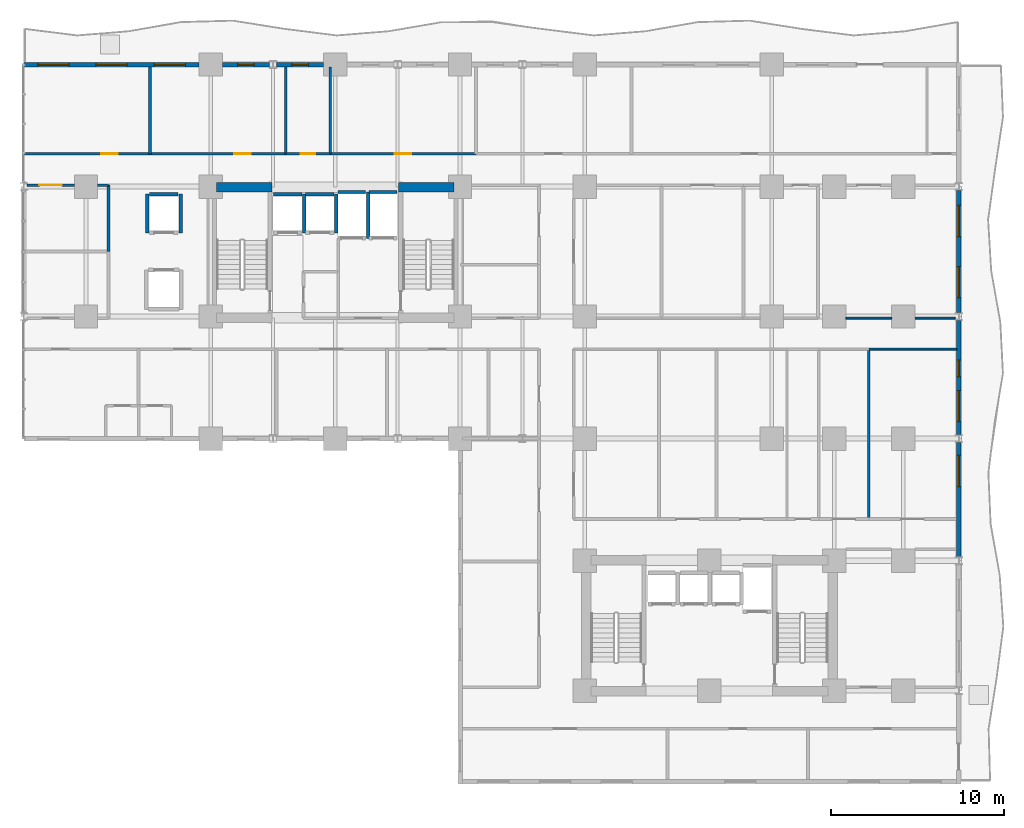
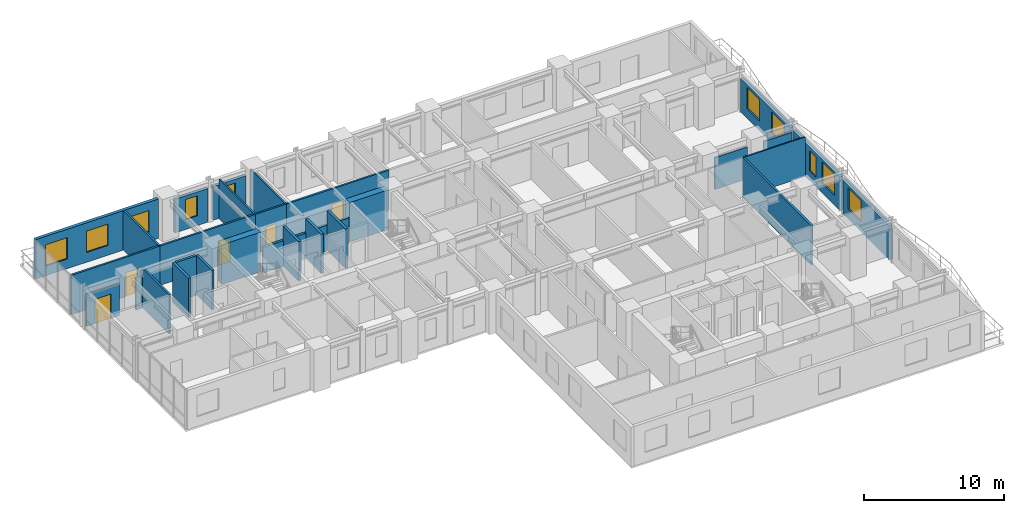
# One storey, part 14 of 19: 32 walls, 10 windows, 5 doors, 15 openings.
"""IFC4 building model written with IfcOpenShell, lengths in metres."""

from ifc_helpers import new_model, si_unit, direction, frame, frame_2d, origin, place, context, subcontext, project, spatial, rectangle, extrude, material, layer, layer_set, type_object, element, fill, save


model = new_model("IFC4")

# Units and contexts
model_context = context("Model", 3, precision=1e-05, world=origin(), true_north=direction((0.0, 1.0)))
body_context = subcontext(model_context, "Body", "Model", "MODEL_VIEW")
ifc_project = project(units=[si_unit("LENGTHUNIT", "METRE"), si_unit("AREAUNIT", "SQUARE_METRE"), si_unit("VOLUMEUNIT", "CUBIC_METRE"), si_unit("PLANEANGLEUNIT", "RADIAN"), si_unit("MASSUNIT", "GRAM", prefix="KILO")], contexts=[model_context])

# Site, building, storey
site_placement = place(None, origin())
site = spatial("IfcSite", under=ifc_project, at=site_placement, CompositionType="ELEMENT")
building_placement = place(site_placement, origin())
building = spatial("IfcBuilding", under=site, at=building_placement, Name="Kaliganga Portal Commons", CompositionType="ELEMENT")
storey_placement = place(building_placement, frame((0.0, 0.0, 32.699951171875)))
storey = spatial("IfcBuildingStorey", under=building, at=storey_placement, Name="L07", CompositionType="ELEMENT", Elevation=32.699951171875)

# Walls
ifc_material_1 = material(Name="Concrete C60/75", Category="concrete")
ifc_layer_1 = layer(ifc_material_1, 0.550048828125)
ifc_layer_set_1 = layer_set([ifc_layer_1], Name="Concrete C60/75")
wall_type_1 = type_object("IfcWallType", Name="WL-CORE-550", PredefinedType="SHEAR", material=ifc_layer_set_1)
for number, where, z_axis, x_axis, name in (
    (1, (14.75, 36.125, 0.0), (0.0, 0.0, 1.0), (1.0, 0.0, 0.0), "Core A N-West Shear Wall L07"),
    (2, (25.25, 36.125, 0.0), (0.0, 0.0, 1.0), (1.0, 0.0, 0.0), "Core A N-East Shear Wall L07"),
):
    element("IfcWall", number, at=place(storey_placement, frame(where, z_axis=z_axis, x_axis=x_axis)), inside=storey, type_object=wall_type_1, Name=name, PredefinedType="SHEAR", context=body_context, shape_type="SweptSolid", body=[
        extrude(rectangle(XDim=3.199951171875, YDim=0.550048828125, at=frame_2d((1.60009765625, 0.0))), origin(), (0.0, 0.0, 1.0), 3.449951171875),
    ])

# Wall, opening, window
ifc_material_2 = material(Name="Insulated Aluminium-Clad Spandrel Assembly", Category="aluminium")
ifc_layer_2 = layer(ifc_material_2, 0.260009765625)
ifc_layer_set_2 = layer_set([ifc_layer_2], Name="Insulated Aluminium-Clad Spandrel Assembly")
wall_type_2 = type_object("IfcWallType", Name="WL-EXT-SPAND-260", PredefinedType="STANDARD", material=ifc_layer_set_2)
wall_1_placement = place(storey_placement, frame((57.60009765625, 21.3759765625, 0.0), z_axis=(0.0, 0.0, 1.0), x_axis=(0.0, -1.0, 0.0)))
wall_1 = element("IfcWall", 3, at=wall_1_placement, inside=storey, type_object=wall_type_2, Name="Exterior Envelope Wall L07 P1-E01-S3", PredefinedType="STANDARD", context=body_context, shape_type="SweptSolid", body=[
    extrude(rectangle(XDim=6.60205078125, YDim=0.260009765625, at=frame_2d((3.301025390625, 0.0))), origin(), (0.0, 0.0, 1.0), 2.929931640625),
])
opening_1_placement = place(wall_1_placement, frame((0.75048828125, 0.0, 0.85009765625)))
opening_1 = element("IfcOpeningElement", 4, at=opening_1_placement, cuts=wall_1, Name="Opening W-01", PredefinedType="OPENING", context=body_context, shape_type="SweptSolid", body=[
    extrude(rectangle(XDim=1.800048828125, YDim=1.85009765625, at=frame_2d((0.89990234375, 0.925048828125))), frame((0.0, 0.14013671875, 0.0), z_axis=(0.0, -1.0, 0.0), x_axis=(1.0, 0.0, 0.0)), (0.0, 0.0, 1.0), 0.280029296875),
])
ifc_material_3 = material(Name="Thermally Broken Aluminium and Low-E Double Glazing", Category="aluminium")
window_type_1 = type_object("IfcWindowType", Name="WIN-STD-1800", PartitioningType="DOUBLE_PANEL_VERTICAL", PredefinedType="WINDOW", material=ifc_material_3)
window_1_placement = place(opening_1_placement, origin())
window_1 = element("IfcWindow", 5, at=window_1_placement, inside=storey, type_object=window_type_1, Name="Facade Window L07-P1E01S3-00", OverallHeight=1.85009765625, OverallWidth=1.800048828125, PartitioningType="SINGLE_PANEL", PredefinedType="WINDOW", context=body_context, shape_type="SweptSolid", body=[
    extrude(rectangle(XDim=1.800048828125, YDim=1.85009765625, at=frame_2d((0.89990234375, 0.925048828125))), frame((0.0, 0.030029296875, 0.0), z_axis=(0.0, -1.0, 0.0), x_axis=(1.0, 0.0, 0.0)), (0.0, 0.0, 1.0), 0.06005859375),
])
fill(opening_1, window_1)

# Wall, openings, windows
wall_2_placement = place(storey_placement, frame((57.60009765625, 28.426025390625, 0.0), z_axis=(0.0, 0.0, 1.0), x_axis=(0.0, -1.0, 0.0)))
wall_2 = element("IfcWall", 6, at=wall_2_placement, inside=storey, type_object=wall_type_2, Name="Exterior Envelope Wall L07 P1-E01-S4", PredefinedType="STANDARD", context=body_context, shape_type="SweptSolid", body=[
    extrude(rectangle(XDim=6.60205078125, YDim=0.260009765625, at=frame_2d((3.301025390625, 0.0))), origin(), (0.0, 0.0, 1.0), 2.929931640625),
])
opening_2_placement = place(wall_2_placement, frame((4.051513671875, 0.0, 0.85009765625)))
opening_2 = element("IfcOpeningElement", 7, at=opening_2_placement, cuts=wall_2, Name="Opening W-01", PredefinedType="OPENING", context=body_context, shape_type="SweptSolid", body=[
    extrude(rectangle(XDim=1.800048828125, YDim=1.85009765625, at=frame_2d((0.89990234375, 0.925048828125))), frame((0.0, 0.14013671875, 0.0), z_axis=(0.0, -1.0, 0.0), x_axis=(1.0, 0.0, 0.0)), (0.0, 0.0, 1.0), 0.280029296875),
])
opening_3_placement = place(wall_2_placement, frame((2.2978515625, 0.0, 0.85009765625)))
opening_3 = element("IfcOpeningElement", 8, at=opening_3_placement, cuts=wall_2, Name="Opening W-04", PredefinedType="OPENING", context=body_context, shape_type="SweptSolid", body=[
    extrude(rectangle(XDim=0.949951171875, YDim=1.75, at=frame_2d((0.47509765625, 0.875))), frame((0.0, 0.14013671875, 0.0), z_axis=(0.0, -1.0, 0.0), x_axis=(1.0, 0.0, 0.0)), (0.0, 0.0, 1.0), 0.280029296875),
])
window_type_2 = type_object("IfcWindowType", Name="WIN-NARROW-950", PartitioningType="SINGLE_PANEL", PredefinedType="WINDOW", material=ifc_material_3)
window_2_placement = place(opening_3_placement, origin())
window_2 = element("IfcWindow", 9, at=window_2_placement, inside=storey, type_object=window_type_2, Name="Facade Window L07-P1E01S4-N5", OverallHeight=1.75, OverallWidth=0.949951171875, PartitioningType="SINGLE_PANEL", PredefinedType="WINDOW", context=body_context, shape_type="SweptSolid", body=[
    extrude(rectangle(XDim=0.949951171875, YDim=1.75, at=frame_2d((0.47509765625, 0.875))), frame((0.0, 0.030029296875, 0.0), z_axis=(0.0, -1.0, 0.0), x_axis=(1.0, 0.0, 0.0)), (0.0, 0.0, 1.0), 0.06005859375),
])
fill(opening_3, window_2)
window_3_placement = place(opening_2_placement, origin())
window_3 = element("IfcWindow", 10, at=window_3_placement, inside=storey, type_object=window_type_1, Name="Facade Window L07-P1E01S4-01", OverallHeight=1.85009765625, OverallWidth=1.800048828125, PartitioningType="SINGLE_PANEL", PredefinedType="WINDOW", context=body_context, shape_type="SweptSolid", body=[
    extrude(rectangle(XDim=1.800048828125, YDim=1.85009765625, at=frame_2d((0.89990234375, 0.925048828125))), frame((0.0, 0.030029296875, 0.0), z_axis=(0.0, -1.0, 0.0), x_axis=(1.0, 0.0, 0.0)), (0.0, 0.0, 1.0), 0.06005859375),
])
fill(opening_2, window_3)

wall_3_placement = place(storey_placement, frame((57.60009765625, 35.926025390625, 0.0), z_axis=(0.0, 0.0, 1.0), x_axis=(0.0, -1.0, 0.0)))
wall_3 = element("IfcWall", 11, at=wall_3_placement, inside=storey, type_object=wall_type_2, Name="Exterior Envelope Wall L07 P1-E01-S5", PredefinedType="STANDARD", context=body_context, shape_type="SweptSolid", body=[
    extrude(rectangle(XDim=7.052001953125, YDim=0.260009765625, at=frame_2d((3.52587890625, 0.0))), origin(), (0.0, 0.0, 1.0), 2.929931640625),
])
opening_4_placement = place(wall_3_placement, frame((0.863037109375, 0.0, 0.85009765625)))
opening_4 = element("IfcOpeningElement", 12, at=opening_4_placement, cuts=wall_3, Name="Opening W-01", PredefinedType="OPENING", context=body_context, shape_type="SweptSolid", body=[
    extrude(rectangle(XDim=1.800048828125, YDim=1.85009765625, at=frame_2d((0.89990234375, 0.925048828125))), frame((0.0, 0.14013671875, 0.0), z_axis=(0.0, -1.0, 0.0), x_axis=(1.0, 0.0, 0.0)), (0.0, 0.0, 1.0), 0.280029296875),
])
opening_5_placement = place(wall_3_placement, frame((4.388916015625, 0.0, 0.85009765625)))
opening_5 = element("IfcOpeningElement", 13, at=opening_5_placement, cuts=wall_3, Name="Opening W-01", PredefinedType="OPENING", context=body_context, shape_type="SweptSolid", body=[
    extrude(rectangle(XDim=1.800048828125, YDim=1.85009765625, at=frame_2d((0.89990234375, 0.925048828125))), frame((0.0, 0.14013671875, 0.0), z_axis=(0.0, -1.0, 0.0), x_axis=(1.0, 0.0, 0.0)), (0.0, 0.0, 1.0), 0.280029296875),
])
window_4_placement = place(opening_4_placement, origin())
window_4 = element("IfcWindow", 14, at=window_4_placement, inside=storey, type_object=window_type_1, Name="Facade Window L07-P1E01S5-00", OverallHeight=1.85009765625, OverallWidth=1.800048828125, PartitioningType="SINGLE_PANEL", PredefinedType="WINDOW", context=body_context, shape_type="SweptSolid", body=[
    extrude(rectangle(XDim=1.800048828125, YDim=1.85009765625, at=frame_2d((0.89990234375, 0.925048828125))), frame((0.0, 0.030029296875, 0.0), z_axis=(0.0, -1.0, 0.0), x_axis=(1.0, 0.0, 0.0)), (0.0, 0.0, 1.0), 0.06005859375),
])
fill(opening_4, window_4)
window_5_placement = place(opening_5_placement, origin())
window_5 = element("IfcWindow", 15, at=window_5_placement, inside=storey, type_object=window_type_1, Name="Facade Window L07-P1E01S5-01", OverallHeight=1.85009765625, OverallWidth=1.800048828125, PartitioningType="SINGLE_PANEL", PredefinedType="WINDOW", context=body_context, shape_type="SweptSolid", body=[
    extrude(rectangle(XDim=1.800048828125, YDim=1.85009765625, at=frame_2d((0.89990234375, 0.925048828125))), frame((0.0, 0.030029296875, 0.0), z_axis=(0.0, -1.0, 0.0), x_axis=(1.0, 0.0, 0.0)), (0.0, 0.0, 1.0), 0.06005859375),
])
fill(opening_5, window_5)

# Wall, opening, window
wall_4_placement = place(storey_placement, frame((18.208984375, 43.199951171875, 0.0), z_axis=(0.0, 0.0, 1.0), x_axis=(1.0, 0.0, 0.0)))
wall_4 = element("IfcWall", 16, at=wall_4_placement, inside=storey, type_object=wall_type_2, Name="Exterior Envelope Wall L07 P1-E02-S7", PredefinedType="STANDARD", context=body_context, shape_type="SweptSolid", body=[
    extrude(rectangle(XDim=2.715087890625, YDim=0.260009765625, at=frame_2d((1.357421875, 0.0))), origin(), (0.0, 0.0, 1.0), 2.929931640625),
])
opening_6_placement = place(wall_4_placement, frame((0.882568359375, 0.0, 0.85009765625)))
opening_6 = element("IfcOpeningElement", 17, at=opening_6_placement, cuts=wall_4, Name="Opening W-04", PredefinedType="OPENING", context=body_context, shape_type="SweptSolid", body=[
    extrude(rectangle(XDim=0.949951171875, YDim=1.75, at=frame_2d((0.47509765625, 0.875))), frame((0.0, 0.14013671875, 0.0), z_axis=(0.0, -1.0, 0.0), x_axis=(1.0, 0.0, 0.0)), (0.0, 0.0, 1.0), 0.280029296875),
])
window_6_placement = place(opening_6_placement, origin())
window_6 = element("IfcWindow", 18, at=window_6_placement, inside=storey, type_object=window_type_2, Name="Facade Window L07-P1E02S7-00", OverallHeight=1.75, OverallWidth=0.949951171875, PartitioningType="SINGLE_PANEL", PredefinedType="WINDOW", context=body_context, shape_type="SweptSolid", body=[
    extrude(rectangle(XDim=0.949951171875, YDim=1.75, at=frame_2d((0.47509765625, 0.875))), frame((0.0, 0.030029296875, 0.0), z_axis=(0.0, -1.0, 0.0), x_axis=(1.0, 0.0, 0.0)), (0.0, 0.0, 1.0), 0.06005859375),
])
fill(opening_6, window_6)

wall_5_placement = place(storey_placement, frame((15.075927734375, 43.199951171875, 0.0), z_axis=(0.0, 0.0, 1.0), x_axis=(1.0, 0.0, 0.0)))
wall_5 = element("IfcWall", 19, at=wall_5_placement, inside=storey, type_object=wall_type_2, Name="Exterior Envelope Wall L07 P1-E02-S8", PredefinedType="STANDARD", context=body_context, shape_type="SweptSolid", body=[
    extrude(rectangle(XDim=2.715087890625, YDim=0.260009765625, at=frame_2d((1.357421875, 0.0))), origin(), (0.0, 0.0, 1.0), 2.929931640625),
])
opening_7_placement = place(wall_5_placement, frame((0.882568359375, 0.0, 0.85009765625)))
opening_7 = element("IfcOpeningElement", 20, at=opening_7_placement, cuts=wall_5, Name="Opening W-04", PredefinedType="OPENING", context=body_context, shape_type="SweptSolid", body=[
    extrude(rectangle(XDim=0.949951171875, YDim=1.75, at=frame_2d((0.47509765625, 0.875))), frame((0.0, 0.14013671875, 0.0), z_axis=(0.0, -1.0, 0.0), x_axis=(1.0, 0.0, 0.0)), (0.0, 0.0, 1.0), 0.280029296875),
])
window_7_placement = place(opening_7_placement, origin())
window_7 = element("IfcWindow", 21, at=window_7_placement, inside=storey, type_object=window_type_2, Name="Facade Window L07-P1E02S8-00", OverallHeight=1.75, OverallWidth=0.949951171875, PartitioningType="SINGLE_PANEL", PredefinedType="WINDOW", context=body_context, shape_type="SweptSolid", body=[
    extrude(rectangle(XDim=0.949951171875, YDim=1.75, at=frame_2d((0.47509765625, 0.875))), frame((0.0, 0.030029296875, 0.0), z_axis=(0.0, -1.0, 0.0), x_axis=(1.0, 0.0, 0.0)), (0.0, 0.0, 1.0), 0.06005859375),
])
fill(opening_7, window_7)

# Wall, openings, windows
wall_6_placement = place(storey_placement, frame((3.636962890625, 43.199951171875, 0.0), z_axis=(0.0, 0.0, 1.0), x_axis=(1.0, 0.0, 0.0)))
wall_6 = element("IfcWall", 22, at=wall_6_placement, inside=storey, type_object=wall_type_2, Name="Exterior Envelope Wall L07 P1-E02-S9", PredefinedType="STANDARD", context=body_context, shape_type="SweptSolid", body=[
    extrude(rectangle(XDim=10.087158203125, YDim=0.260009765625, at=frame_2d((5.04345703125, 0.0))), origin(), (0.0, 0.0, 1.0), 3.429931640625),
])
opening_8_placement = place(wall_6_placement, frame((0.78125, 0.0, 0.85009765625)))
opening_8 = element("IfcOpeningElement", 23, at=opening_8_placement, cuts=wall_6, Name="Opening W-01", PredefinedType="OPENING", context=body_context, shape_type="SweptSolid", body=[
    extrude(rectangle(XDim=1.800048828125, YDim=1.85009765625, at=frame_2d((0.89990234375, 0.925048828125))), frame((0.0, 0.14013671875, 0.0), z_axis=(0.0, -1.0, 0.0), x_axis=(1.0, 0.0, 0.0)), (0.0, 0.0, 1.0), 0.280029296875),
])
opening_9_placement = place(wall_6_placement, frame((4.1435546875, 0.0, 0.85009765625)))
opening_9 = element("IfcOpeningElement", 24, at=opening_9_placement, cuts=wall_6, Name="Opening W-01", PredefinedType="OPENING", context=body_context, shape_type="SweptSolid", body=[
    extrude(rectangle(XDim=1.800048828125, YDim=1.85009765625, at=frame_2d((0.89990234375, 0.925048828125))), frame((0.0, 0.14013671875, 0.0), z_axis=(0.0, -1.0, 0.0), x_axis=(1.0, 0.0, 0.0)), (0.0, 0.0, 1.0), 0.280029296875),
])
opening_10_placement = place(wall_6_placement, frame((7.505859375, 0.0, 0.85009765625)))
opening_10 = element("IfcOpeningElement", 25, at=opening_10_placement, cuts=wall_6, Name="Opening W-01", PredefinedType="OPENING", context=body_context, shape_type="SweptSolid", body=[
    extrude(rectangle(XDim=1.800048828125, YDim=1.85009765625, at=frame_2d((0.89990234375, 0.925048828125))), frame((0.0, 0.14013671875, 0.0), z_axis=(0.0, -1.0, 0.0), x_axis=(1.0, 0.0, 0.0)), (0.0, 0.0, 1.0), 0.280029296875),
])
window_8_placement = place(opening_8_placement, origin())
window_8 = element("IfcWindow", 26, at=window_8_placement, inside=storey, type_object=window_type_1, Name="Facade Window L07-P1E02S9-00", OverallHeight=1.85009765625, OverallWidth=1.800048828125, PartitioningType="SINGLE_PANEL", PredefinedType="WINDOW", context=body_context, shape_type="SweptSolid", body=[
    extrude(rectangle(XDim=1.800048828125, YDim=1.85009765625, at=frame_2d((0.89990234375, 0.925048828125))), frame((0.0, 0.030029296875, 0.0), z_axis=(0.0, -1.0, 0.0), x_axis=(1.0, 0.0, 0.0)), (0.0, 0.0, 1.0), 0.06005859375),
])
fill(opening_8, window_8)
window_9_placement = place(opening_9_placement, origin())
window_9 = element("IfcWindow", 27, at=window_9_placement, inside=storey, type_object=window_type_1, Name="Facade Window L07-P1E02S9-01", OverallHeight=1.85009765625, OverallWidth=1.800048828125, PartitioningType="SINGLE_PANEL", PredefinedType="WINDOW", context=body_context, shape_type="SweptSolid", body=[
    extrude(rectangle(XDim=1.800048828125, YDim=1.85009765625, at=frame_2d((0.89990234375, 0.925048828125))), frame((0.0, 0.030029296875, 0.0), z_axis=(0.0, -1.0, 0.0), x_axis=(1.0, 0.0, 0.0)), (0.0, 0.0, 1.0), 0.06005859375),
])
fill(opening_9, window_9)
window_10_placement = place(opening_10_placement, origin())
window_10 = element("IfcWindow", 28, at=window_10_placement, inside=storey, type_object=window_type_1, Name="Facade Window L07-P1E02S9-02", OverallHeight=1.85009765625, OverallWidth=1.800048828125, PartitioningType="SINGLE_PANEL", PredefinedType="WINDOW", context=body_context, shape_type="SweptSolid", body=[
    extrude(rectangle(XDim=1.800048828125, YDim=1.85009765625, at=frame_2d((0.89990234375, 0.925048828125))), frame((0.0, 0.030029296875, 0.0), z_axis=(0.0, -1.0, 0.0), x_axis=(1.0, 0.0, 0.0)), (0.0, 0.0, 1.0), 0.06005859375),
])
fill(opening_10, window_10)

# Wall, opening, door
ifc_material_4 = material(Name="Fire-Rated Gypsum Board on Steel Stud", Category="steel")
ifc_layer_3 = layer(ifc_material_4, 0.14990234375)
ifc_layer_set_3 = layer_set([ifc_layer_3], Name="Fire-Rated Gypsum Board on Steel Stud")
wall_type_3 = type_object("IfcWallType", Name="WL-PART-CORR-150", PredefinedType="PARTITIONING", material=ifc_layer_set_3)
wall_7_placement = place(storey_placement, frame((21.300048828125, 38.0400390625, 0.0), z_axis=(0.0, 0.0, 1.0), x_axis=(1.0, 0.0, 0.0)))
wall_7 = element("IfcWall", 29, at=wall_7_placement, inside=storey, type_object=wall_type_3, Name="Interior Partition L07-012", PredefinedType="PARTITIONING", context=body_context, shape_type="SweptSolid", body=[
    extrude(rectangle(XDim=8.419921875, YDim=0.14990234375, at=frame_2d((4.2099609375, 0.0))), origin(), (0.0, 0.0, 1.0), 3.429931640625),
])
opening_11_placement = place(wall_7_placement, frame((3.735107421875, 0.0, 0.0)))
opening_11 = element("IfcOpeningElement", 30, at=opening_11_placement, cuts=wall_7, Name="Opening UD-01", PredefinedType="OPENING", context=body_context, shape_type="SweptSolid", body=[
    extrude(rectangle(XDim=0.949951171875, YDim=2.10009765625, at=frame_2d((0.47509765625, 1.050048828125))), frame((0.0, 0.0849609375, 0.0), z_axis=(0.0, -1.0, 0.0), x_axis=(1.0, 0.0, 0.0)), (0.0, 0.0, 1.0), 0.169921875),
])
ifc_material_5 = material(Name="Solid-Core Timber Acoustic Fire Door", Category="wood")
door_type_1 = type_object("IfcDoorType", Name="DR-UNIT-950", OperationType="NOTDEFINED", PredefinedType="DOOR", material=ifc_material_5)
door_1_placement = place(opening_11_placement, origin())
door_1 = element("IfcDoor", 31, at=door_1_placement, inside=storey, type_object=door_type_1, Name="Interior Door L07-AN04", OperationType="SINGLE_SWING_RIGHT", OverallHeight=2.10009765625, OverallWidth=0.949951171875, PredefinedType="DOOR", context=body_context, shape_type="SweptSolid", body=[
    extrude(rectangle(XDim=0.949951171875, YDim=2.10009765625, at=frame_2d((0.47509765625, 1.050048828125))), frame((0.0, 0.02490234375, 0.0), z_axis=(0.0, -1.0, 0.0), x_axis=(1.0, 0.0, 0.0)), (0.0, 0.0, 1.0), 0.050048828125),
])
fill(opening_11, door_1)

wall_8_placement = place(storey_placement, frame((10.89990234375, 38.0400390625, 0.0), z_axis=(0.0, 0.0, 1.0), x_axis=(1.0, 0.0, 0.0)))
wall_8 = element("IfcWall", 32, at=wall_8_placement, inside=storey, type_object=wall_type_3, Name="Interior Partition L07-017", PredefinedType="PARTITIONING", context=body_context, shape_type="SweptSolid", body=[
    extrude(rectangle(XDim=7.840087890625, YDim=0.14990234375, at=frame_2d((3.919921875, 0.0))), origin(), (0.0, 0.0, 1.0), 3.429931640625),
])
opening_12_placement = place(wall_8_placement, frame((4.856201171875, 0.0, 0.0)))
opening_12 = element("IfcOpeningElement", 33, at=opening_12_placement, cuts=wall_8, Name="Opening UD-01", PredefinedType="OPENING", context=body_context, shape_type="SweptSolid", body=[
    extrude(rectangle(XDim=0.949951171875, YDim=2.10009765625, at=frame_2d((0.47509765625, 1.050048828125))), frame((0.0, 0.0849609375, 0.0), z_axis=(0.0, -1.0, 0.0), x_axis=(1.0, 0.0, 0.0)), (0.0, 0.0, 1.0), 0.169921875),
])
door_2_placement = place(opening_12_placement, origin())
door_2 = element("IfcDoor", 34, at=door_2_placement, inside=storey, type_object=door_type_1, Name="Interior Door L07-AN02", OperationType="SINGLE_SWING_RIGHT", OverallHeight=2.10009765625, OverallWidth=0.949951171875, PredefinedType="DOOR", context=body_context, shape_type="SweptSolid", body=[
    extrude(rectangle(XDim=0.949951171875, YDim=2.10009765625, at=frame_2d((0.47509765625, 1.050048828125))), frame((0.0, 0.02490234375, 0.0), z_axis=(0.0, -1.0, 0.0), x_axis=(1.0, 0.0, 0.0)), (0.0, 0.0, 1.0), 0.050048828125),
])
fill(opening_12, door_2)

wall_9_placement = place(storey_placement, frame((3.6201171875, 38.0400390625, 0.0), z_axis=(0.0, 0.0, 1.0), x_axis=(1.0, 0.0, 0.0)))
wall_9 = element("IfcWall", 35, at=wall_9_placement, inside=storey, type_object=wall_type_3, Name="Interior Partition L07-019", PredefinedType="PARTITIONING", context=body_context, shape_type="SweptSolid", body=[
    extrude(rectangle(XDim=7.27978515625, YDim=0.14990234375, at=frame_2d((3.639892578125, 0.0))), origin(), (0.0, 0.0, 1.0), 3.429931640625),
])
opening_13_placement = place(wall_9_placement, frame((4.475341796875, 0.0, 0.0)))
opening_13 = element("IfcOpeningElement", 36, at=opening_13_placement, cuts=wall_9, Name="Opening UD-01", PredefinedType="OPENING", context=body_context, shape_type="SweptSolid", body=[
    extrude(rectangle(XDim=0.949951171875, YDim=2.10009765625, at=frame_2d((0.47509765625, 1.050048828125))), frame((0.0, 0.0849609375, 0.0), z_axis=(0.0, -1.0, 0.0), x_axis=(1.0, 0.0, 0.0)), (0.0, 0.0, 1.0), 0.169921875),
])
door_3_placement = place(opening_13_placement, origin())
door_3 = element("IfcDoor", 37, at=door_3_placement, inside=storey, type_object=door_type_1, Name="Interior Door L07-AN01", OperationType="SINGLE_SWING_RIGHT", OverallHeight=2.10009765625, OverallWidth=0.949951171875, PredefinedType="DOOR", context=body_context, shape_type="SweptSolid", body=[
    extrude(rectangle(XDim=0.949951171875, YDim=2.10009765625, at=frame_2d((0.47509765625, 1.050048828125))), frame((0.0, 0.02490234375, 0.0), z_axis=(0.0, -1.0, 0.0), x_axis=(1.0, 0.0, 0.0)), (0.0, 0.0, 1.0), 0.050048828125),
])
fill(opening_13, door_3)

wall_10_placement = place(storey_placement, frame((3.80810546875, 36.239990234375, 0.0), z_axis=(0.0, 0.0, 1.0), x_axis=(1.0, 0.0, 0.0)))
wall_10 = element("IfcWall", 38, at=wall_10_placement, inside=storey, type_object=wall_type_3, Name="Interior Partition L07-035", PredefinedType="PARTITIONING", context=body_context, shape_type="SweptSolid", body=[
    extrude(rectangle(XDim=2.716796875, YDim=0.14990234375, at=frame_2d((1.3583984375, 0.0))), origin(), (0.0, 0.0, 1.0), 2.780029296875),
])
opening_14_placement = place(wall_10_placement, frame((0.70849609375, 0.0, 0.0)))
opening_14 = element("IfcOpeningElement", 39, at=opening_14_placement, cuts=wall_10, Name="Opening RD-03", PredefinedType="OPENING", context=body_context, shape_type="SweptSolid", body=[
    extrude(rectangle(XDim=1.300048828125, YDim=2.1201171875, at=frame_2d((0.64990234375, 1.06005859375))), frame((0.0, 0.0849609375, 0.0), z_axis=(0.0, -1.0, 0.0), x_axis=(1.0, 0.0, 0.0)), (0.0, 0.0, 1.0), 0.169921875),
])
ifc_material_6 = material(Name="Glazed Timber Seminar Vision Door", Category="wood")
door_type_2 = type_object("IfcDoorType", Name="DR-STUDY-1300", OperationType="DOUBLE_DOOR_SINGLE_SWING", PredefinedType="DOOR", material=ifc_material_6)
door_4_placement = place(opening_14_placement, origin())
door_4 = element("IfcDoor", 40, at=door_4_placement, inside=storey, type_object=door_type_2, Name="Interior Door L07-AW02", OperationType="DOUBLE_DOOR_SINGLE_SWING", OverallHeight=2.1201171875, OverallWidth=1.300048828125, PredefinedType="DOOR", context=body_context, shape_type="SweptSolid", body=[
    extrude(rectangle(XDim=1.300048828125, YDim=2.1201171875, at=frame_2d((0.64990234375, 1.06005859375))), frame((0.0, 0.02490234375, 0.0), z_axis=(0.0, -1.0, 0.0), x_axis=(1.0, 0.0, 0.0)), (0.0, 0.0, 1.0), 0.050048828125),
])
fill(opening_14, door_4)

# Walls
wall_11_placement = place(storey_placement, frame((7.875, 36.239990234375, 0.0), z_axis=(0.0, 0.0, 1.0), x_axis=(1.0, 0.0, 0.0)))
element("IfcWall", 41, at=wall_11_placement, inside=storey, type_object=wall_type_3, Name="Interior Partition L07-036", PredefinedType="PARTITIONING", context=body_context, shape_type="SweptSolid", body=[
    extrude(rectangle(XDim=0.625, YDim=0.14990234375, at=frame_2d((0.3125, 0.0))), origin(), (0.0, 0.0, 1.0), 2.780029296875),
])
wall_12_placement = place(storey_placement, frame((8.5, 32.39990234375, 0.0), z_axis=(0.0, 0.0, 1.0), x_axis=(0.0, 1.0, 0.0)))
element("IfcWall", 42, at=wall_12_placement, inside=storey, type_object=wall_type_3, Name="Interior Partition L07-045", PredefinedType="PARTITIONING", context=body_context, shape_type="SweptSolid", body=[
    extrude(rectangle(XDim=3.840087890625, YDim=0.14990234375, at=frame_2d((1.919921875, 0.0))), origin(), (0.0, 0.0, 1.0), 3.429931640625),
])

# Wall, opening, door
wall_13_placement = place(storey_placement, frame((18.739990234375, 38.0400390625, 0.0), z_axis=(0.0, 0.0, 1.0), x_axis=(1.0, 0.0, 0.0)))
wall_13 = element("IfcWall", 43, at=wall_13_placement, inside=storey, type_object=wall_type_3, Name="Interior Partition L07-053", PredefinedType="PARTITIONING", context=body_context, shape_type="SweptSolid", body=[
    extrude(rectangle(XDim=2.56005859375, YDim=0.14990234375, at=frame_2d((1.280029296875, 0.0))), origin(), (0.0, 0.0, 1.0), 3.429931640625),
])
opening_15_placement = place(wall_13_placement, frame((0.85498046875, 0.0, 0.0)))
opening_15 = element("IfcOpeningElement", 44, at=opening_15_placement, cuts=wall_13, Name="Opening WD-01", PredefinedType="OPENING", context=body_context, shape_type="SweptSolid", body=[
    extrude(rectangle(XDim=0.85009765625, YDim=2.0400390625, at=frame_2d((0.425048828125, 1.02001953125))), frame((0.0, 0.0849609375, 0.0), z_axis=(0.0, -1.0, 0.0), x_axis=(1.0, 0.0, 0.0)), (0.0, 0.0, 1.0), 0.169921875),
])
ifc_material_7 = material(Name="Moisture-Resistant Laminate Timber Door", Category="wood")
door_type_3 = type_object("IfcDoorType", Name="DR-WET-850", OperationType="NOTDEFINED", PredefinedType="DOOR", material=ifc_material_7)
door_5_placement = place(opening_15_placement, origin())
door_5 = element("IfcDoor", 45, at=door_5_placement, inside=storey, type_object=door_type_3, Name="Interior Door L07-AN03", OperationType="SINGLE_SWING_RIGHT", OverallHeight=2.0400390625, OverallWidth=0.85009765625, PredefinedType="DOOR", context=body_context, shape_type="SweptSolid", body=[
    extrude(rectangle(XDim=0.85009765625, YDim=2.0400390625, at=frame_2d((0.425048828125, 1.02001953125))), frame((0.0, 0.02490234375, 0.0), z_axis=(0.0, -1.0, 0.0), x_axis=(1.0, 0.0, 0.0)), (0.0, 0.0, 1.0), 0.050048828125),
])
fill(opening_15, door_5)

# Walls
ifc_material_8 = material(Name="Moisture-Resistant Gypsum Partition", Category="gypsum")
ifc_layer_4 = layer(ifc_material_8, 0.114990234375)
ifc_layer_set_4 = layer_set([ifc_layer_4], Name="Moisture-Resistant Gypsum Partition")
wall_type_4 = type_object("IfcWallType", Name="WL-PART-ROOM-115", PredefinedType="PARTITIONING", material=ifc_layer_set_4)
wall_14_placement = place(storey_placement, frame((51.074951171875, 28.56005859375, 0.0), z_axis=(0.0, 0.0, 1.0), x_axis=(1.0, 0.0, 0.0)))
element("IfcWall", 46, at=wall_14_placement, inside=storey, type_object=wall_type_4, Name="Interior Partition L07-063", PredefinedType="PARTITIONING", context=body_context, shape_type="SweptSolid", body=[
    extrude(rectangle(XDim=2.650146484375, YDim=0.114990234375, at=frame_2d((1.3251953125, 0.0))), origin(), (0.0, 0.0, 1.0), 2.780029296875),
])
wall_15_placement = place(storey_placement, frame((55.074951171875, 28.56005859375, 0.0), z_axis=(0.0, 0.0, 1.0), x_axis=(1.0, 0.0, 0.0)))
element("IfcWall", 47, at=wall_15_placement, inside=storey, type_object=wall_type_4, Name="Interior Partition L07-064", PredefinedType="PARTITIONING", context=body_context, shape_type="SweptSolid", body=[
    extrude(rectangle(XDim=2.317138671875, YDim=0.114990234375, at=frame_2d((1.15869140625, 0.0))), origin(), (0.0, 0.0, 1.0), 2.780029296875),
])
wall_16_placement = place(storey_placement, frame((52.39990234375, 26.760009765625, 0.0), z_axis=(0.0, 0.0, 1.0), x_axis=(1.0, 0.0, 0.0)))
element("IfcWall", 48, at=wall_16_placement, inside=storey, type_object=wall_type_4, Name="Interior Partition L07-068", PredefinedType="PARTITIONING", context=body_context, shape_type="SweptSolid", body=[
    extrude(rectangle(XDim=5.068115234375, YDim=0.114990234375, at=frame_2d((2.5341796875, 0.0))), origin(), (0.0, 0.0, 1.0), 3.429931640625),
])
ifc_material_9 = material(Name="Twin-Stud Acoustic Gypsum Partition", Category="gypsum")
ifc_layer_5 = layer(ifc_material_9, 0.1650390625)
ifc_layer_set_5 = layer_set([ifc_layer_5], Name="Twin-Stud Acoustic Gypsum Partition")
wall_type_5 = type_object("IfcWallType", Name="WL-PART-UNIT-165", PredefinedType="PARTITIONING", material=ifc_layer_set_5)
wall_17_placement = place(storey_placement, frame((52.39990234375, 16.9599609375, 0.0), z_axis=(0.0, 0.0, 1.0), x_axis=(0.0, 1.0, 0.0)))
element("IfcWall", 49, at=wall_17_placement, inside=storey, type_object=wall_type_5, Name="Interior Partition L07-062", PredefinedType="PARTITIONING", context=body_context, shape_type="SweptSolid", body=[
    extrude(rectangle(XDim=9.800048828125, YDim=0.1650390625, at=frame_2d((4.89990234375, 0.0))), origin(), (0.0, 0.0, 1.0), 3.429931640625),
])
wall_18_placement = place(storey_placement, frame((10.89990234375, 38.0400390625, 0.0), z_axis=(0.0, 0.0, 1.0), x_axis=(0.0, 1.0, 0.0)))
element("IfcWall", 50, at=wall_18_placement, inside=storey, type_object=wall_type_5, Name="Interior Partition L07-069", PredefinedType="PARTITIONING", context=body_context, shape_type="SweptSolid", body=[
    extrude(rectangle(XDim=5.028076171875, YDim=0.1650390625, at=frame_2d((2.51416015625, 0.0))), origin(), (0.0, 0.0, 1.0), 3.429931640625),
])
ifc_material_10 = material(Name="Cement-Board Wet-Room Partition", Category="gypsum")
ifc_layer_6 = layer(ifc_material_10, 0.135009765625)
ifc_layer_set_6 = layer_set([ifc_layer_6], Name="Cement-Board Wet-Room Partition")
wall_type_6 = type_object("IfcWallType", Name="WL-PART-WET-135", PredefinedType="PARTITIONING", material=ifc_layer_set_6)
for number, where, z_axis, x_axis, name in (
    (51, (18.739990234375, 38.0400390625, 0.0), (0.0, 0.0, 1.0), (0.0, 1.0, 0.0), "Interior Partition L07-070"),
    (52, (21.300048828125, 38.0400390625, 0.0), (0.0, 0.0, 1.0), (0.0, 1.0, 0.0), "Interior Partition L07-071"),
):
    element("IfcWall", number, at=place(storey_placement, frame(where, z_axis=z_axis, x_axis=x_axis)), inside=storey, type_object=wall_type_6, Name=name, PredefinedType="PARTITIONING", context=body_context, shape_type="SweptSolid", body=[
        extrude(rectangle(XDim=5.028076171875, YDim=0.135009765625, at=frame_2d((2.51416015625, 0.0))), origin(), (0.0, 0.0, 1.0), 3.429931640625),
    ])
ifc_material_11 = material(Name="Fire-Rated Shaftwall Masonry Assembly", Category="masonry")
ifc_layer_7 = layer(ifc_material_11, 0.199951171875)
ifc_layer_set_7 = layer_set([ifc_layer_7], Name="Fire-Rated Shaftwall Masonry Assembly")
wall_type_7 = type_object("IfcWallType", Name="WL-SHAFT-200", PredefinedType="PARTITIONING", material=ifc_layer_set_7)
wall_19_placement = place(storey_placement, frame((18.02490234375, 35.715087890625, 0.0), z_axis=(0.0, 0.0, 1.0), x_axis=(1.0, 0.0, 0.0)))
element("IfcWall", 53, at=wall_19_placement, inside=storey, type_object=wall_type_7, Name="Lift PL-A1 Hoistway Shaft Wall L07-N", PredefinedType="PARTITIONING", context=body_context, shape_type="SweptSolid", body=[
    extrude(rectangle(XDim=1.650146484375, YDim=0.199951171875, at=frame_2d((0.8251953125, 0.0))), origin(), (0.0, 0.0, 1.0), 2.22998046875),
])
wall_20_placement = place(storey_placement, frame((19.81494140625, 33.485107421875, 0.0), z_axis=(0.0, 0.0, 1.0), x_axis=(0.0, 1.0, 0.0)))
element("IfcWall", 54, at=wall_20_placement, inside=storey, type_object=wall_type_7, Name="Lift PL-A1 Hoistway Shaft Wall L07-E", PredefinedType="PARTITIONING", context=body_context, shape_type="SweptSolid", body=[
    extrude(rectangle(XDim=2.22998046875, YDim=0.199951171875, at=frame_2d((1.114990234375, 0.0))), origin(), (0.0, 0.0, 1.0), 3.429931640625),
])
wall_21_placement = place(storey_placement, frame((19.875, 35.715087890625, 0.0), z_axis=(0.0, 0.0, 1.0), x_axis=(1.0, 0.0, 0.0)))
element("IfcWall", 55, at=wall_21_placement, inside=storey, type_object=wall_type_7, Name="Lift PL-A2 Hoistway Shaft Wall L07-N", PredefinedType="PARTITIONING", context=body_context, shape_type="SweptSolid", body=[
    extrude(rectangle(XDim=1.64990234375, YDim=0.199951171875, at=frame_2d((0.824951171875, 0.0))), origin(), (0.0, 0.0, 1.0), 2.22998046875),
])
wall_22_placement = place(storey_placement, frame((21.6650390625, 33.485107421875, 0.0), z_axis=(0.0, 0.0, 1.0), x_axis=(0.0, 1.0, 0.0)))
element("IfcWall", 56, at=wall_22_placement, inside=storey, type_object=wall_type_7, Name="Lift PL-A2 Hoistway Shaft Wall L07-E", PredefinedType="PARTITIONING", context=body_context, shape_type="SweptSolid", body=[
    extrude(rectangle(XDim=2.22998046875, YDim=0.199951171875, at=frame_2d((1.114990234375, 0.0))), origin(), (0.0, 0.0, 1.0), 3.429931640625),
])
wall_23_placement = place(storey_placement, frame((10.875, 35.715087890625, 0.0), z_axis=(0.0, 0.0, 1.0), x_axis=(1.0, 0.0, 0.0)))
element("IfcWall", 57, at=wall_23_placement, inside=storey, type_object=wall_type_7, Name="Lift PL-OBS Hoistway Shaft Wall L07-N", PredefinedType="PARTITIONING", context=body_context, shape_type="SweptSolid", body=[
    extrude(rectangle(XDim=1.64990234375, YDim=0.199951171875, at=frame_2d((0.824951171875, 0.0))), origin(), (0.0, 0.0, 1.0), 3.429931640625),
])
for number, where, z_axis, x_axis, name in (
    (58, (10.735107421875, 33.485107421875, 0.0), (0.0, 0.0, 1.0), (0.0, 1.0, 0.0), "Lift PL-OBS Hoistway Shaft Wall L07-W"),
    (59, (12.6650390625, 33.485107421875, 0.0), (0.0, 0.0, 1.0), (0.0, 1.0, 0.0), "Lift PL-OBS Hoistway Shaft Wall L07-E"),
):
    element("IfcWall", number, at=place(storey_placement, frame(where, z_axis=z_axis, x_axis=x_axis)), inside=storey, type_object=wall_type_7, Name=name, PredefinedType="PARTITIONING", context=body_context, shape_type="SweptSolid", body=[
        extrude(rectangle(XDim=2.22998046875, YDim=0.199951171875, at=frame_2d((1.114990234375, 0.0))), origin(), (0.0, 0.0, 1.0), 3.429931640625),
    ])
wall_24_placement = place(storey_placement, frame((21.75, 35.840087890625, 0.0), z_axis=(0.0, 0.0, 1.0), x_axis=(1.0, 0.0, 0.0)))
element("IfcWall", 60, at=wall_24_placement, inside=storey, type_object=wall_type_7, Name="Lift FFL-1 Hoistway Shaft Wall L07-N", PredefinedType="PARTITIONING", context=body_context, shape_type="SweptSolid", body=[
    extrude(rectangle(XDim=1.60009765625, YDim=0.199951171875, at=frame_2d((0.800048828125, 0.0))), origin(), (0.0, 0.0, 1.0), 2.22998046875),
])
wall_25_placement = place(storey_placement, frame((23.489990234375, 33.159912109375, 0.0), z_axis=(0.0, 0.0, 1.0), x_axis=(0.0, 1.0, 0.0)))
element("IfcWall", 61, at=wall_25_placement, inside=storey, type_object=wall_type_7, Name="Lift FFL-1 Hoistway Shaft Wall L07-E", PredefinedType="PARTITIONING", context=body_context, shape_type="SweptSolid", body=[
    extrude(rectangle(XDim=2.68017578125, YDim=0.199951171875, at=frame_2d((1.340087890625, 0.0))), origin(), (0.0, 0.0, 1.0), 3.429931640625),
])
wall_26_placement = place(storey_placement, frame((23.550048828125, 35.840087890625, 0.0), z_axis=(0.0, 0.0, 1.0), x_axis=(1.0, 0.0, 0.0)))
element("IfcWall", 62, at=wall_26_placement, inside=storey, type_object=wall_type_7, Name="Lift FFL-2 Hoistway Shaft Wall L07-N", PredefinedType="PARTITIONING", context=body_context, shape_type="SweptSolid", body=[
    extrude(rectangle(XDim=1.599853515625, YDim=0.199951171875, at=frame_2d((0.7998046875, 0.0))), origin(), (0.0, 0.0, 1.0), 2.22998046875),
])

save(model, "model.ifc")
